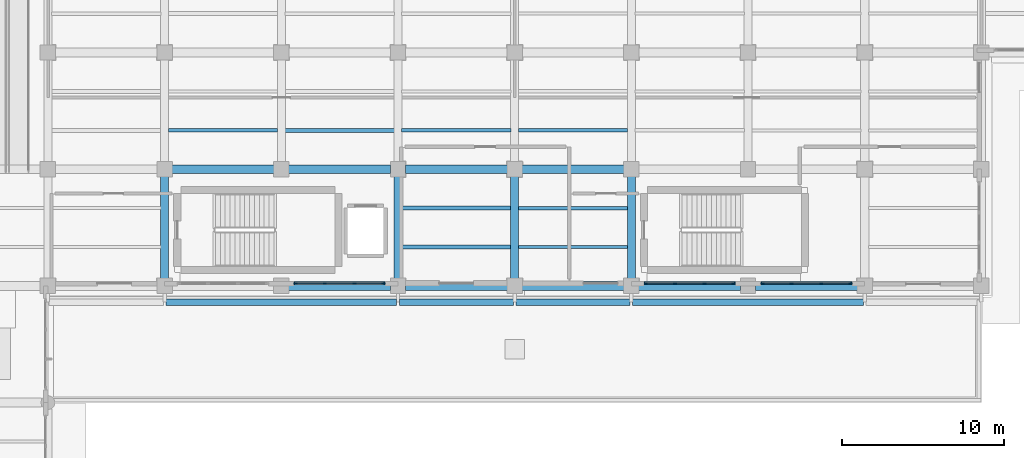
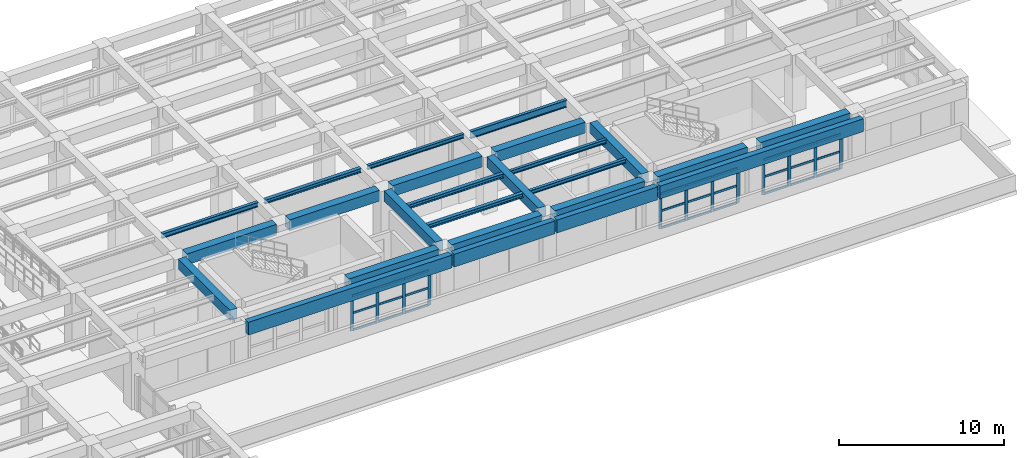
# One storey, part 12 of 64: 39 members, 25 beams, 3 elements without a shape of their own.
"""IFC4 building model written with IfcOpenShell, lengths in metres."""

from ifc_helpers import new_model, si_unit, direction, frame, origin, origin_2d, place, context, subcontext, project, spatial, rectangle, i_section, extrude, material, layer, layer_set, material_profile, profile_set, type_object, element, aggregate, save


model = new_model("IFC4")

# Units and contexts
model_context = context("Model", 3, precision=1e-05, world=origin(), true_north=direction((0.0, 1.0)))
body_context = subcontext(model_context, "Body", "Model", "MODEL_VIEW")
ifc_project = project(units=[si_unit("LENGTHUNIT", "METRE"), si_unit("AREAUNIT", "SQUARE_METRE"), si_unit("VOLUMEUNIT", "CUBIC_METRE"), si_unit("PLANEANGLEUNIT", "RADIAN"), si_unit("MASSUNIT", "GRAM", prefix="KILO")], contexts=[model_context])

# Site, building, storey
site_placement = place(None, origin())
site = spatial("IfcSite", under=ifc_project, at=site_placement, CompositionType="ELEMENT")
building_placement = place(site_placement, origin())
building = spatial("IfcBuilding", under=site, at=building_placement, Name="Solenvale Faculty of Natural Sciences", CompositionType="ELEMENT")
storey_placement = place(building_placement, origin())
storey = spatial("IfcBuildingStorey", under=building, at=storey_placement, Name="L00", CompositionType="ELEMENT", Elevation=0.0)

# Beams
ifc_material_1 = material(Name="Concrete 40 MPa", Category="concrete")
ifc_material_profile_1 = material_profile(ifc_material_1, rectangle(XDim=0.5, YDim=0.75, at=origin_2d()), Name="RC-BM-500x750")
ifc_profile_set_1 = profile_set([ifc_material_profile_1], Name="Concrete 40 MPa")
beam_type_1 = type_object("IfcBeamType", Name="BM-RC-500x750", PredefinedType="BEAM", material=ifc_profile_set_1)
for number, where, z_axis, x_axis, name in (
    (1, (64.800048828125, 22.054931640625, 3.844970703125), (0.0, 1.0, 0.0), (-1.0, 0.0, 0.0), "L00 Y-Girder X64.8 (21.6..28.8)"),
    (2, (79.199951171875, 22.054931640625, 3.844970703125), (0.0, 1.0, 0.0), (-1.0, 0.0, 0.0), "L00 Y-Girder X79.2 (21.6..28.8)"),
    (3, (86.39990234375, 22.054931640625, 3.844970703125), (0.0, 1.0, 0.0), (-1.0, 0.0, 0.0), "L00 Y-Girder X86.4 (21.6..28.8)"),
    (4, (93.60009765625, 22.054931640625, 3.844970703125), (0.0, 1.0, 0.0), (-1.0, 0.0, 0.0), "L00 Y-Girder X93.6 (21.6..28.8)"),
):
    element("IfcBeam", number, at=place(storey_placement, frame(where, z_axis=z_axis, x_axis=x_axis)), inside=storey, type_object=beam_type_1, Name=name, PredefinedType="BEAM", context=body_context, shape_type="SweptSolid", body=[
        extrude(rectangle(XDim=0.5, YDim=0.75, at=origin_2d()), origin(), (0.0, 0.0, 1.0), 6.2900390625),
    ])
ifc_material_profile_2 = material_profile(ifc_material_1, rectangle(XDim=0.550048828125, YDim=0.800048828125, at=origin_2d()), Name="RC-BM-550x800")
ifc_profile_set_2 = profile_set([ifc_material_profile_2], Name="Concrete 40 MPa")
beam_type_2 = type_object("IfcBeamType", Name="BM-RC-550x800", PredefinedType="BEAM", material=ifc_profile_set_2)
for number, where, z_axis, x_axis, name in (
    (5, (72.455078125, 21.60009765625, 3.820068359375), (1.0, 0.0, 0.0), (0.0, 1.0, 0.0), "L00 X-Girder Y21.6 (72.0..79.2)"),
    (6, (79.655029296875, 21.60009765625, 3.820068359375), (1.0, 0.0, 0.0), (0.0, 1.0, 0.0), "L00 X-Girder Y21.6 (79.2..86.4)"),
    (7, (86.85498046875, 21.60009765625, 3.820068359375), (1.0, 0.0, 0.0), (0.0, 1.0, 0.0), "L00 X-Girder Y21.6 (86.4..93.6)"),
    (8, (94.054931640625, 21.60009765625, 3.820068359375), (1.0, 0.0, 0.0), (0.0, 1.0, 0.0), "L00 X-Girder Y21.6 (93.6..100.8)"),
    (9, (101.2548828125, 21.60009765625, 3.820068359375), (1.0, 0.0, 0.0), (0.0, 1.0, 0.0), "L00 X-Girder Y21.6 (100.8..108.0)"),
    (10, (65.2548828125, 28.800048828125, 3.820068359375), (1.0, 0.0, 0.0), (0.0, 1.0, 0.0), "L00 X-Girder Y28.8 (64.8..72.0)"),
    (11, (72.455078125, 28.800048828125, 3.820068359375), (1.0, 0.0, 0.0), (0.0, 1.0, 0.0), "L00 X-Girder Y28.8 (72.0..79.2)"),
    (12, (79.655029296875, 28.800048828125, 3.820068359375), (1.0, 0.0, 0.0), (0.0, 1.0, 0.0), "L00 X-Girder Y28.8 (79.2..86.4)"),
    (13, (86.85498046875, 28.800048828125, 3.820068359375), (1.0, 0.0, 0.0), (0.0, 1.0, 0.0), "L00 X-Girder Y28.8 (86.4..93.6)"),
):
    element("IfcBeam", number, at=place(storey_placement, frame(where, z_axis=z_axis, x_axis=x_axis)), inside=storey, type_object=beam_type_2, Name=name, PredefinedType="BEAM", context=body_context, shape_type="SweptSolid", body=[
        extrude(rectangle(XDim=0.550048828125, YDim=0.800048828125, at=origin_2d()), origin(), (0.0, 0.0, 1.0), 6.2900390625),
    ])
ifc_material_2 = material(Name="Architectural bronze concrete 40 MPa", Category="concrete")
ifc_material_profile_3 = material_profile(ifc_material_2, rectangle(XDim=0.39990234375, YDim=0.949951171875, at=origin_2d()), Name="RC-SPN-400x950")
ifc_profile_set_3 = profile_set([ifc_material_profile_3], Name="Architectural bronze concrete 40 MPa")
beam_type_3 = type_object("IfcBeamType", Name="BM-SPN-BRZ-950", PredefinedType="SPANDREL", material=ifc_profile_set_3)
beam_1_placement = place(storey_placement, frame((64.8798828125, 20.60009765625, 3.7451171875), z_axis=(1.0, 0.0, 0.0), x_axis=(0.0, 1.0, 0.0)))
element("IfcBeam", 14, at=beam_1_placement, inside=storey, type_object=beam_type_3, Name="L01 Sliding-Tray South Bronze Fascia 2", PredefinedType="SPANDREL", context=body_context, shape_type="SweptSolid", body=[
    extrude(rectangle(XDim=0.39990234375, YDim=0.949951171875, at=origin_2d()), origin(), (0.0, 0.0, 1.0), 14.240234375),
])
for number, where, z_axis, x_axis, name in (
    (15, (79.280029296875, 20.60009765625, 3.7451171875), (1.0, 0.0, 0.0), (0.0, 1.0, 0.0), "L01 Sliding-Tray South Bronze Fascia 3"),
    (16, (86.47998046875, 20.60009765625, 3.7451171875), (1.0, 0.0, 0.0), (0.0, 1.0, 0.0), "L01 Sliding-Tray South Bronze Fascia 4"),
):
    element("IfcBeam", number, at=place(storey_placement, frame(where, z_axis=z_axis, x_axis=x_axis)), inside=storey, type_object=beam_type_3, Name=name, PredefinedType="SPANDREL", context=body_context, shape_type="SweptSolid", body=[
        extrude(rectangle(XDim=0.39990234375, YDim=0.949951171875, at=origin_2d()), origin(), (0.0, 0.0, 1.0), 7.0400390625),
    ])
beam_2_placement = place(storey_placement, frame((93.679931640625, 20.60009765625, 3.7451171875), z_axis=(1.0, 0.0, 0.0), x_axis=(0.0, 1.0, 0.0)))
element("IfcBeam", 17, at=beam_2_placement, inside=storey, type_object=beam_type_3, Name="L01 Sliding-Tray South Bronze Fascia 5", PredefinedType="SPANDREL", context=body_context, shape_type="SweptSolid", body=[
    extrude(rectangle(XDim=0.39990234375, YDim=0.949951171875, at=origin_2d()), origin(), (0.0, 0.0, 1.0), 14.239990234375),
])
ifc_material_3 = material(Name="Steel S355", Category="steel")
ifc_material_profile_4 = material_profile(ifc_material_3, i_section(OverallWidth=0.202880859375, OverallDepth=0.302978515625, WebThickness=0.007568359375, FlangeThickness=0.01318359375, FilletRadius=0.014892578125, at=origin_2d()), Name="W310x60")
ifc_profile_set_4 = profile_set([ifc_material_profile_4], Name="Steel S355")
beam_type_4 = type_object("IfcBeamType", Name="BM-STL-W310x60", PredefinedType="JOIST", material=ifc_profile_set_4)
beam_3_placement = place(storey_placement, frame((79.429931640625, 31.199951171875, 4.068603515625), z_axis=(1.0, 0.0, 0.0), x_axis=(0.0, 1.0, 0.0)))
element("IfcBeam", 18, at=beam_3_placement, inside=storey, type_object=beam_type_4, Name="L00 Composite Floor Joist (12,5).1", PredefinedType="JOIST", context=body_context, shape_type="SweptSolid", body=[
    extrude(i_section(OverallWidth=0.202880859375, OverallDepth=0.302978515625, WebThickness=0.007568359375, FlangeThickness=0.01318359375, FilletRadius=0.014892578125, at=origin_2d()), origin(), (0.0, 0.0, 1.0), 6.739990234375),
])
for number, where, z_axis, x_axis, name in (
    (19, (86.6298828125, 24.0, 4.068603515625), (1.0, 0.0, 0.0), (0.0, 1.0, 0.0), "L00 Composite Floor Joist (13,4).1"),
    (20, (86.6298828125, 26.39990234375, 4.068603515625), (1.0, 0.0, 0.0), (0.0, 1.0, 0.0), "L00 Composite Floor Joist (13,4).2"),
):
    element("IfcBeam", number, at=place(storey_placement, frame(where, z_axis=z_axis, x_axis=x_axis)), inside=storey, type_object=beam_type_4, Name=name, PredefinedType="JOIST", context=body_context, shape_type="SweptSolid", body=[
        extrude(i_section(OverallWidth=0.202880859375, OverallDepth=0.302978515625, WebThickness=0.007568359375, FlangeThickness=0.01318359375, FilletRadius=0.014892578125, at=origin_2d()), origin(), (0.0, 0.0, 1.0), 6.740234375),
    ])
ifc_material_profile_5 = material_profile(ifc_material_3, i_section(OverallWidth=0.25390625, OverallDepth=0.305908203125, WebThickness=0.0087890625, FlangeThickness=0.0146484375, FilletRadius=0.014892578125, at=origin_2d()), Name="W310x79")
ifc_profile_set_5 = profile_set([ifc_material_profile_5], Name="Steel S355")
beam_type_5 = type_object("IfcBeamType", Name="BM-STL-W310x79", PredefinedType="JOIST", material=ifc_profile_set_5)
for number, where, z_axis, x_axis, name in (
    (21, (72.22998046875, 31.199951171875, 4.06689453125), (1.0, 0.0, 0.0), (0.0, 1.0, 0.0), "L00 Composite Floor Joist (11,5).1"),
    (22, (79.429931640625, 24.0, 4.06689453125), (1.0, 0.0, 0.0), (0.0, 1.0, 0.0), "L00 Composite Floor Joist (12,4).1"),
    (23, (79.429931640625, 26.39990234375, 4.06689453125), (1.0, 0.0, 0.0), (0.0, 1.0, 0.0), "L00 Composite Floor Joist (12,4).2"),
):
    element("IfcBeam", number, at=place(storey_placement, frame(where, z_axis=z_axis, x_axis=x_axis)), inside=storey, type_object=beam_type_5, Name=name, PredefinedType="JOIST", context=body_context, shape_type="SweptSolid", body=[
        extrude(i_section(OverallWidth=0.25390625, OverallDepth=0.305908203125, WebThickness=0.0087890625, FlangeThickness=0.0146484375, FilletRadius=0.014892578125, at=origin_2d()), origin(), (0.0, 0.0, 1.0), 6.739990234375),
    ])
ifc_material_profile_6 = material_profile(ifc_material_3, i_section(OverallWidth=0.2041015625, OverallDepth=0.35009765625, WebThickness=0.008544921875, FlangeThickness=0.01513671875, FilletRadius=0.014892578125, at=origin_2d()), Name="W360x72")
ifc_profile_set_6 = profile_set([ifc_material_profile_6], Name="Steel S355")
beam_type_6 = type_object("IfcBeamType", Name="BM-STL-W360x72", PredefinedType="JOIST", material=ifc_profile_set_6)
beam_4_placement = place(storey_placement, frame((65.030029296875, 31.199951171875, 4.044921875), z_axis=(1.0, 0.0, 0.0), x_axis=(0.0, 1.0, 0.0)))
element("IfcBeam", 24, at=beam_4_placement, inside=storey, type_object=beam_type_6, Name="L00 Composite Floor Joist (10,5).1", PredefinedType="JOIST", context=body_context, shape_type="SweptSolid", body=[
    extrude(i_section(OverallWidth=0.2041015625, OverallDepth=0.35009765625, WebThickness=0.008544921875, FlangeThickness=0.01513671875, FilletRadius=0.014892578125, at=origin_2d()), origin(), (0.0, 0.0, 1.0), 6.739990234375),
])
ifc_material_profile_7 = material_profile(ifc_material_3, i_section(OverallWidth=0.208984375, OverallDepth=0.532958984375, WebThickness=0.01025390625, FlangeThickness=0.015625, FilletRadius=0.01904296875, at=origin_2d()), Name="W530x92")
ifc_profile_set_7 = profile_set([ifc_material_profile_7], Name="Steel S355")
beam_type_7 = type_object("IfcBeamType", Name="BM-STL-W530x92", PredefinedType="JOIST", material=ifc_profile_set_7)
beam_5_placement = place(storey_placement, frame((86.6298828125, 31.199951171875, 3.95361328125), z_axis=(1.0, 0.0, 0.0), x_axis=(0.0, 1.0, 0.0)))
element("IfcBeam", 25, at=beam_5_placement, inside=storey, type_object=beam_type_7, Name="L00 Composite Floor Joist (13,5).1", PredefinedType="JOIST", context=body_context, shape_type="SweptSolid", body=[
    extrude(i_section(OverallWidth=0.208984375, OverallDepth=0.532958984375, WebThickness=0.01025390625, FlangeThickness=0.015625, FilletRadius=0.01904296875, at=origin_2d()), origin(), (0.0, 0.0, 1.0), 6.740234375),
])

# Curtain wall, members
ifc_material_4 = material(Name="Anodised bronze aluminium", Category="aluminium")
ifc_layer = layer(ifc_material_4, 0.179931640625)
ifc_layer_set = layer_set([ifc_layer], Name="Anodised bronze aluminium")
curtain_wall_type = type_object("IfcCurtainWallType", Name="CW-TWR-MOD", PredefinedType="USERDEFINED", material=ifc_layer_set)
curtain_wall_1_placement = place(storey_placement, origin())
curtain_wall_1 = element("IfcCurtainWall", 26, at=curtain_wall_1_placement, inside=storey, type_object=curtain_wall_type, Name="L00 Curtain Wall CW-L00-P1-E3-B3", ObjectType="UNITISED CURTAIN WALL", PredefinedType="USERDEFINED")
ifc_material_profile_8 = material_profile(ifc_material_4, rectangle(XDim=0.074951171875, YDim=0.2099609375, at=origin_2d()), Name="ALU-MUL-75x210")
ifc_profile_set_8 = profile_set([ifc_material_profile_8], Name="Anodised bronze aluminium")
member_type_1 = type_object("IfcMemberType", Name="CWM-ALU-75x210", PredefinedType="MULLION", material=ifc_profile_set_8)
member_1_placement = place(storey_placement, frame((72.887451171875, 21.742431640625, 0.0), z_axis=(0.0, 0.0, 1.0), x_axis=(0.0, 1.0, 0.0)))
member_1 = element("IfcMember", 27, at=member_1_placement, type_object=member_type_1, Name="CW-04 mullion 1", PredefinedType="MULLION", context=body_context, shape_type="SweptSolid", body=[
    extrude(rectangle(XDim=0.074951171875, YDim=0.2099609375, at=origin_2d()), origin(), (0.0, 0.0, 1.0), 2.60009765625),
])
member_2_placement = place(storey_placement, frame((74.683349609375, 21.742431640625, 0.0), z_axis=(0.0, 0.0, 1.0), x_axis=(0.0, 1.0, 0.0)))
member_2 = element("IfcMember", 28, at=member_2_placement, type_object=member_type_1, Name="CW-04 mullion 2", PredefinedType="MULLION", context=body_context, shape_type="SweptSolid", body=[
    extrude(rectangle(XDim=0.074951171875, YDim=0.2099609375, at=origin_2d()), origin(), (0.0, 0.0, 1.0), 2.60009765625),
])
member_3_placement = place(storey_placement, frame((76.5166015625, 21.742431640625, 0.0), z_axis=(0.0, 0.0, 1.0), x_axis=(0.0, 1.0, 0.0)))
member_3 = element("IfcMember", 29, at=member_3_placement, type_object=member_type_1, Name="CW-04 mullion 3", PredefinedType="MULLION", context=body_context, shape_type="SweptSolid", body=[
    extrude(rectangle(XDim=0.074951171875, YDim=0.2099609375, at=origin_2d()), origin(), (0.0, 0.0, 1.0), 2.60009765625),
])
member_4_placement = place(storey_placement, frame((78.3125, 21.742431640625, 0.0), z_axis=(0.0, 0.0, 1.0), x_axis=(0.0, 1.0, 0.0)))
member_4 = element("IfcMember", 30, at=member_4_placement, type_object=member_type_1, Name="CW-04 mullion 4", PredefinedType="MULLION", context=body_context, shape_type="SweptSolid", body=[
    extrude(rectangle(XDim=0.074951171875, YDim=0.2099609375, at=origin_2d()), origin(), (0.0, 0.0, 1.0), 2.60009765625),
])

curtain_wall_2_placement = place(storey_placement, origin())
curtain_wall_2 = element("IfcCurtainWall", 31, at=curtain_wall_2_placement, inside=storey, type_object=curtain_wall_type, Name="L00 Curtain Wall CW-L00-P1-E3-B6", ObjectType="UNITISED CURTAIN WALL", PredefinedType="USERDEFINED")
member_5_placement = place(storey_placement, frame((94.487548828125, 21.742431640625, 0.0), z_axis=(0.0, 0.0, 1.0), x_axis=(0.0, 1.0, 0.0)))
member_5 = element("IfcMember", 32, at=member_5_placement, type_object=member_type_1, Name="CW-04 mullion 1", PredefinedType="MULLION", context=body_context, shape_type="SweptSolid", body=[
    extrude(rectangle(XDim=0.074951171875, YDim=0.2099609375, at=origin_2d()), origin(), (0.0, 0.0, 1.0), 2.60009765625),
])
member_6_placement = place(storey_placement, frame((96.283447265625, 21.742431640625, 0.0), z_axis=(0.0, 0.0, 1.0), x_axis=(0.0, 1.0, 0.0)))
member_6 = element("IfcMember", 33, at=member_6_placement, type_object=member_type_1, Name="CW-04 mullion 2", PredefinedType="MULLION", context=body_context, shape_type="SweptSolid", body=[
    extrude(rectangle(XDim=0.074951171875, YDim=0.2099609375, at=origin_2d()), origin(), (0.0, 0.0, 1.0), 2.60009765625),
])
member_7_placement = place(storey_placement, frame((98.11669921875, 21.742431640625, 0.0), z_axis=(0.0, 0.0, 1.0), x_axis=(0.0, 1.0, 0.0)))
member_7 = element("IfcMember", 34, at=member_7_placement, type_object=member_type_1, Name="CW-04 mullion 3", PredefinedType="MULLION", context=body_context, shape_type="SweptSolid", body=[
    extrude(rectangle(XDim=0.074951171875, YDim=0.2099609375, at=origin_2d()), origin(), (0.0, 0.0, 1.0), 2.60009765625),
])
member_8_placement = place(storey_placement, frame((99.91259765625, 21.742431640625, 0.0), z_axis=(0.0, 0.0, 1.0), x_axis=(0.0, 1.0, 0.0)))
member_8 = element("IfcMember", 35, at=member_8_placement, type_object=member_type_1, Name="CW-04 mullion 4", PredefinedType="MULLION", context=body_context, shape_type="SweptSolid", body=[
    extrude(rectangle(XDim=0.074951171875, YDim=0.2099609375, at=origin_2d()), origin(), (0.0, 0.0, 1.0), 2.60009765625),
])

curtain_wall_3_placement = place(storey_placement, origin())
curtain_wall_3 = element("IfcCurtainWall", 36, at=curtain_wall_3_placement, inside=storey, type_object=curtain_wall_type, Name="L00 Curtain Wall CW-L00-P1-E3-B7", ObjectType="UNITISED CURTAIN WALL", PredefinedType="USERDEFINED")
member_9_placement = place(storey_placement, frame((101.6875, 21.742431640625, 0.0), z_axis=(0.0, 0.0, 1.0), x_axis=(0.0, 1.0, 0.0)))
member_9 = element("IfcMember", 37, at=member_9_placement, type_object=member_type_1, Name="CW-04 mullion 1", PredefinedType="MULLION", context=body_context, shape_type="SweptSolid", body=[
    extrude(rectangle(XDim=0.074951171875, YDim=0.2099609375, at=origin_2d()), origin(), (0.0, 0.0, 1.0), 2.60009765625),
])
member_10_placement = place(storey_placement, frame((103.4833984375, 21.742431640625, 0.0), z_axis=(0.0, 0.0, 1.0), x_axis=(0.0, 1.0, 0.0)))
member_10 = element("IfcMember", 38, at=member_10_placement, type_object=member_type_1, Name="CW-04 mullion 2", PredefinedType="MULLION", context=body_context, shape_type="SweptSolid", body=[
    extrude(rectangle(XDim=0.074951171875, YDim=0.2099609375, at=origin_2d()), origin(), (0.0, 0.0, 1.0), 2.60009765625),
])
member_11_placement = place(storey_placement, frame((105.316650390625, 21.742431640625, 0.0), z_axis=(0.0, 0.0, 1.0), x_axis=(0.0, 1.0, 0.0)))
member_11 = element("IfcMember", 39, at=member_11_placement, type_object=member_type_1, Name="CW-04 mullion 3", PredefinedType="MULLION", context=body_context, shape_type="SweptSolid", body=[
    extrude(rectangle(XDim=0.074951171875, YDim=0.2099609375, at=origin_2d()), origin(), (0.0, 0.0, 1.0), 2.60009765625),
])
member_12_placement = place(storey_placement, frame((107.112548828125, 21.742431640625, 0.0), z_axis=(0.0, 0.0, 1.0), x_axis=(0.0, 1.0, 0.0)))
member_12 = element("IfcMember", 40, at=member_12_placement, type_object=member_type_1, Name="CW-04 mullion 4", PredefinedType="MULLION", context=body_context, shape_type="SweptSolid", body=[
    extrude(rectangle(XDim=0.074951171875, YDim=0.2099609375, at=origin_2d()), origin(), (0.0, 0.0, 1.0), 2.60009765625),
])

# Member
ifc_material_profile_9 = material_profile(ifc_material_4, rectangle(XDim=0.074951171875, YDim=0.155029296875, at=origin_2d()), Name="ALU-TRN-75x155")
ifc_profile_set_9 = profile_set([ifc_material_profile_9], Name="Anodised bronze aluminium")
member_type_2 = type_object("IfcMemberType", Name="CWT-ALU-75x155", PredefinedType="USERDEFINED", material=ifc_profile_set_9)
member_13_placement = place(storey_placement, frame((72.925048828125, 21.742431640625, 0.03759765625), z_axis=(1.0, 0.0, 0.0), x_axis=(0.0, 1.0, 0.0)))
member_13 = element("IfcMember", 41, at=member_13_placement, type_object=member_type_2, Name="CW-04 transom 1.1", ObjectType="TRANSOM", PredefinedType="USERDEFINED", context=body_context, shape_type="SweptSolid", body=[
    extrude(rectangle(XDim=0.074951171875, YDim=0.155029296875, at=origin_2d()), origin(), (0.0, 0.0, 1.0), 1.720703125),
])

member_14_placement = place(storey_placement, frame((72.925048828125, 21.742431640625, 1.300048828125), z_axis=(1.0, 0.0, 0.0), x_axis=(0.0, 1.0, 0.0)))
member_14 = element("IfcMember", 42, at=member_14_placement, type_object=member_type_2, Name="CW-04 transom 1.2", ObjectType="TRANSOM", PredefinedType="USERDEFINED", context=body_context, shape_type="SweptSolid", body=[
    extrude(rectangle(XDim=0.074951171875, YDim=0.155029296875, at=origin_2d()), origin(), (0.0, 0.0, 1.0), 1.720703125),
])

member_15_placement = place(storey_placement, frame((72.925048828125, 21.742431640625, 2.5625), z_axis=(1.0, 0.0, 0.0), x_axis=(0.0, 1.0, 0.0)))
member_15 = element("IfcMember", 43, at=member_15_placement, type_object=member_type_2, Name="CW-04 transom 1.3", ObjectType="TRANSOM", PredefinedType="USERDEFINED", context=body_context, shape_type="SweptSolid", body=[
    extrude(rectangle(XDim=0.074951171875, YDim=0.155029296875, at=origin_2d()), origin(), (0.0, 0.0, 1.0), 1.720703125),
])

member_16_placement = place(storey_placement, frame((74.720947265625, 21.742431640625, 0.03759765625), z_axis=(1.0, 0.0, 0.0), x_axis=(0.0, 1.0, 0.0)))
member_16 = element("IfcMember", 44, at=member_16_placement, type_object=member_type_2, Name="CW-04 transom 2.1", ObjectType="TRANSOM", PredefinedType="USERDEFINED", context=body_context, shape_type="SweptSolid", body=[
    extrude(rectangle(XDim=0.074951171875, YDim=0.155029296875, at=origin_2d()), origin(), (0.0, 0.0, 1.0), 1.75830078125),
])

member_17_placement = place(storey_placement, frame((74.720947265625, 21.742431640625, 1.300048828125), z_axis=(1.0, 0.0, 0.0), x_axis=(0.0, 1.0, 0.0)))
member_17 = element("IfcMember", 45, at=member_17_placement, type_object=member_type_2, Name="CW-04 transom 2.2", ObjectType="TRANSOM", PredefinedType="USERDEFINED", context=body_context, shape_type="SweptSolid", body=[
    extrude(rectangle(XDim=0.074951171875, YDim=0.155029296875, at=origin_2d()), origin(), (0.0, 0.0, 1.0), 1.75830078125),
])

member_18_placement = place(storey_placement, frame((74.720947265625, 21.742431640625, 2.5625), z_axis=(1.0, 0.0, 0.0), x_axis=(0.0, 1.0, 0.0)))
member_18 = element("IfcMember", 46, at=member_18_placement, type_object=member_type_2, Name="CW-04 transom 2.3", ObjectType="TRANSOM", PredefinedType="USERDEFINED", context=body_context, shape_type="SweptSolid", body=[
    extrude(rectangle(XDim=0.074951171875, YDim=0.155029296875, at=origin_2d()), origin(), (0.0, 0.0, 1.0), 1.75830078125),
])

member_19_placement = place(storey_placement, frame((76.55419921875, 21.742431640625, 0.03759765625), z_axis=(1.0, 0.0, 0.0), x_axis=(0.0, 1.0, 0.0)))
member_19 = element("IfcMember", 47, at=member_19_placement, type_object=member_type_2, Name="CW-04 transom 3.1", ObjectType="TRANSOM", PredefinedType="USERDEFINED", context=body_context, shape_type="SweptSolid", body=[
    extrude(rectangle(XDim=0.074951171875, YDim=0.155029296875, at=origin_2d()), origin(), (0.0, 0.0, 1.0), 1.720703125),
])

member_20_placement = place(storey_placement, frame((76.55419921875, 21.742431640625, 1.300048828125), z_axis=(1.0, 0.0, 0.0), x_axis=(0.0, 1.0, 0.0)))
member_20 = element("IfcMember", 48, at=member_20_placement, type_object=member_type_2, Name="CW-04 transom 3.2", ObjectType="TRANSOM", PredefinedType="USERDEFINED", context=body_context, shape_type="SweptSolid", body=[
    extrude(rectangle(XDim=0.074951171875, YDim=0.155029296875, at=origin_2d()), origin(), (0.0, 0.0, 1.0), 1.720703125),
])

member_21_placement = place(storey_placement, frame((76.55419921875, 21.742431640625, 2.5625), z_axis=(1.0, 0.0, 0.0), x_axis=(0.0, 1.0, 0.0)))
member_21 = element("IfcMember", 49, at=member_21_placement, type_object=member_type_2, Name="CW-04 transom 3.3", ObjectType="TRANSOM", PredefinedType="USERDEFINED", context=body_context, shape_type="SweptSolid", body=[
    extrude(rectangle(XDim=0.074951171875, YDim=0.155029296875, at=origin_2d()), origin(), (0.0, 0.0, 1.0), 1.720703125),
])

aggregate(curtain_wall_1, [member_1, member_2, member_3, member_4, member_13, member_14, member_15, member_16, member_17, member_18, member_19, member_20, member_21])

member_22_placement = place(storey_placement, frame((94.52490234375, 21.742431640625, 0.03759765625), z_axis=(1.0, 0.0, 0.0), x_axis=(0.0, 1.0, 0.0)))
member_22 = element("IfcMember", 50, at=member_22_placement, type_object=member_type_2, Name="CW-04 transom 1.1", ObjectType="TRANSOM", PredefinedType="USERDEFINED", context=body_context, shape_type="SweptSolid", body=[
    extrude(rectangle(XDim=0.074951171875, YDim=0.155029296875, at=origin_2d()), origin(), (0.0, 0.0, 1.0), 1.720947265625),
])

member_23_placement = place(storey_placement, frame((94.52490234375, 21.742431640625, 1.300048828125), z_axis=(1.0, 0.0, 0.0), x_axis=(0.0, 1.0, 0.0)))
member_23 = element("IfcMember", 51, at=member_23_placement, type_object=member_type_2, Name="CW-04 transom 1.2", ObjectType="TRANSOM", PredefinedType="USERDEFINED", context=body_context, shape_type="SweptSolid", body=[
    extrude(rectangle(XDim=0.074951171875, YDim=0.155029296875, at=origin_2d()), origin(), (0.0, 0.0, 1.0), 1.720947265625),
])

member_24_placement = place(storey_placement, frame((94.52490234375, 21.742431640625, 2.5625), z_axis=(1.0, 0.0, 0.0), x_axis=(0.0, 1.0, 0.0)))
member_24 = element("IfcMember", 52, at=member_24_placement, type_object=member_type_2, Name="CW-04 transom 1.3", ObjectType="TRANSOM", PredefinedType="USERDEFINED", context=body_context, shape_type="SweptSolid", body=[
    extrude(rectangle(XDim=0.074951171875, YDim=0.155029296875, at=origin_2d()), origin(), (0.0, 0.0, 1.0), 1.720947265625),
])

member_25_placement = place(storey_placement, frame((96.32080078125, 21.742431640625, 0.03759765625), z_axis=(1.0, 0.0, 0.0), x_axis=(0.0, 1.0, 0.0)))
member_25 = element("IfcMember", 53, at=member_25_placement, type_object=member_type_2, Name="CW-04 transom 2.1", ObjectType="TRANSOM", PredefinedType="USERDEFINED", context=body_context, shape_type="SweptSolid", body=[
    extrude(rectangle(XDim=0.074951171875, YDim=0.155029296875, at=origin_2d()), origin(), (0.0, 0.0, 1.0), 1.75830078125),
])

member_26_placement = place(storey_placement, frame((96.32080078125, 21.742431640625, 1.300048828125), z_axis=(1.0, 0.0, 0.0), x_axis=(0.0, 1.0, 0.0)))
member_26 = element("IfcMember", 54, at=member_26_placement, type_object=member_type_2, Name="CW-04 transom 2.2", ObjectType="TRANSOM", PredefinedType="USERDEFINED", context=body_context, shape_type="SweptSolid", body=[
    extrude(rectangle(XDim=0.074951171875, YDim=0.155029296875, at=origin_2d()), origin(), (0.0, 0.0, 1.0), 1.75830078125),
])

member_27_placement = place(storey_placement, frame((96.32080078125, 21.742431640625, 2.5625), z_axis=(1.0, 0.0, 0.0), x_axis=(0.0, 1.0, 0.0)))
member_27 = element("IfcMember", 55, at=member_27_placement, type_object=member_type_2, Name="CW-04 transom 2.3", ObjectType="TRANSOM", PredefinedType="USERDEFINED", context=body_context, shape_type="SweptSolid", body=[
    extrude(rectangle(XDim=0.074951171875, YDim=0.155029296875, at=origin_2d()), origin(), (0.0, 0.0, 1.0), 1.75830078125),
])

member_28_placement = place(storey_placement, frame((98.154052734375, 21.742431640625, 0.03759765625), z_axis=(1.0, 0.0, 0.0), x_axis=(0.0, 1.0, 0.0)))
member_28 = element("IfcMember", 56, at=member_28_placement, type_object=member_type_2, Name="CW-04 transom 3.1", ObjectType="TRANSOM", PredefinedType="USERDEFINED", context=body_context, shape_type="SweptSolid", body=[
    extrude(rectangle(XDim=0.074951171875, YDim=0.155029296875, at=origin_2d()), origin(), (0.0, 0.0, 1.0), 1.720947265625),
])

member_29_placement = place(storey_placement, frame((98.154052734375, 21.742431640625, 1.300048828125), z_axis=(1.0, 0.0, 0.0), x_axis=(0.0, 1.0, 0.0)))
member_29 = element("IfcMember", 57, at=member_29_placement, type_object=member_type_2, Name="CW-04 transom 3.2", ObjectType="TRANSOM", PredefinedType="USERDEFINED", context=body_context, shape_type="SweptSolid", body=[
    extrude(rectangle(XDim=0.074951171875, YDim=0.155029296875, at=origin_2d()), origin(), (0.0, 0.0, 1.0), 1.720947265625),
])

member_30_placement = place(storey_placement, frame((98.154052734375, 21.742431640625, 2.5625), z_axis=(1.0, 0.0, 0.0), x_axis=(0.0, 1.0, 0.0)))
member_30 = element("IfcMember", 58, at=member_30_placement, type_object=member_type_2, Name="CW-04 transom 3.3", ObjectType="TRANSOM", PredefinedType="USERDEFINED", context=body_context, shape_type="SweptSolid", body=[
    extrude(rectangle(XDim=0.074951171875, YDim=0.155029296875, at=origin_2d()), origin(), (0.0, 0.0, 1.0), 1.720947265625),
])

aggregate(curtain_wall_2, [member_5, member_6, member_7, member_8, member_22, member_23, member_24, member_25, member_26, member_27, member_28, member_29, member_30])

member_31_placement = place(storey_placement, frame((101.72509765625, 21.742431640625, 0.03759765625), z_axis=(1.0, 0.0, 0.0), x_axis=(0.0, 1.0, 0.0)))
member_31 = element("IfcMember", 59, at=member_31_placement, type_object=member_type_2, Name="CW-04 transom 1.1", ObjectType="TRANSOM", PredefinedType="USERDEFINED", context=body_context, shape_type="SweptSolid", body=[
    extrude(rectangle(XDim=0.074951171875, YDim=0.155029296875, at=origin_2d()), origin(), (0.0, 0.0, 1.0), 1.720703125),
])

member_32_placement = place(storey_placement, frame((101.72509765625, 21.742431640625, 1.300048828125), z_axis=(1.0, 0.0, 0.0), x_axis=(0.0, 1.0, 0.0)))
member_32 = element("IfcMember", 60, at=member_32_placement, type_object=member_type_2, Name="CW-04 transom 1.2", ObjectType="TRANSOM", PredefinedType="USERDEFINED", context=body_context, shape_type="SweptSolid", body=[
    extrude(rectangle(XDim=0.074951171875, YDim=0.155029296875, at=origin_2d()), origin(), (0.0, 0.0, 1.0), 1.720703125),
])

member_33_placement = place(storey_placement, frame((101.72509765625, 21.742431640625, 2.5625), z_axis=(1.0, 0.0, 0.0), x_axis=(0.0, 1.0, 0.0)))
member_33 = element("IfcMember", 61, at=member_33_placement, type_object=member_type_2, Name="CW-04 transom 1.3", ObjectType="TRANSOM", PredefinedType="USERDEFINED", context=body_context, shape_type="SweptSolid", body=[
    extrude(rectangle(XDim=0.074951171875, YDim=0.155029296875, at=origin_2d()), origin(), (0.0, 0.0, 1.0), 1.720703125),
])

member_34_placement = place(storey_placement, frame((103.520751953125, 21.742431640625, 0.03759765625), z_axis=(1.0, 0.0, 0.0), x_axis=(0.0, 1.0, 0.0)))
member_34 = element("IfcMember", 62, at=member_34_placement, type_object=member_type_2, Name="CW-04 transom 2.1", ObjectType="TRANSOM", PredefinedType="USERDEFINED", context=body_context, shape_type="SweptSolid", body=[
    extrude(rectangle(XDim=0.074951171875, YDim=0.155029296875, at=origin_2d()), origin(), (0.0, 0.0, 1.0), 1.75830078125),
])

member_35_placement = place(storey_placement, frame((103.520751953125, 21.742431640625, 1.300048828125), z_axis=(1.0, 0.0, 0.0), x_axis=(0.0, 1.0, 0.0)))
member_35 = element("IfcMember", 63, at=member_35_placement, type_object=member_type_2, Name="CW-04 transom 2.2", ObjectType="TRANSOM", PredefinedType="USERDEFINED", context=body_context, shape_type="SweptSolid", body=[
    extrude(rectangle(XDim=0.074951171875, YDim=0.155029296875, at=origin_2d()), origin(), (0.0, 0.0, 1.0), 1.75830078125),
])

member_36_placement = place(storey_placement, frame((103.520751953125, 21.742431640625, 2.5625), z_axis=(1.0, 0.0, 0.0), x_axis=(0.0, 1.0, 0.0)))
member_36 = element("IfcMember", 64, at=member_36_placement, type_object=member_type_2, Name="CW-04 transom 2.3", ObjectType="TRANSOM", PredefinedType="USERDEFINED", context=body_context, shape_type="SweptSolid", body=[
    extrude(rectangle(XDim=0.074951171875, YDim=0.155029296875, at=origin_2d()), origin(), (0.0, 0.0, 1.0), 1.75830078125),
])

member_37_placement = place(storey_placement, frame((105.354248046875, 21.742431640625, 0.03759765625), z_axis=(1.0, 0.0, 0.0), x_axis=(0.0, 1.0, 0.0)))
member_37 = element("IfcMember", 65, at=member_37_placement, type_object=member_type_2, Name="CW-04 transom 3.1", ObjectType="TRANSOM", PredefinedType="USERDEFINED", context=body_context, shape_type="SweptSolid", body=[
    extrude(rectangle(XDim=0.074951171875, YDim=0.155029296875, at=origin_2d()), origin(), (0.0, 0.0, 1.0), 1.720703125),
])

member_38_placement = place(storey_placement, frame((105.354248046875, 21.742431640625, 1.300048828125), z_axis=(1.0, 0.0, 0.0), x_axis=(0.0, 1.0, 0.0)))
member_38 = element("IfcMember", 66, at=member_38_placement, type_object=member_type_2, Name="CW-04 transom 3.2", ObjectType="TRANSOM", PredefinedType="USERDEFINED", context=body_context, shape_type="SweptSolid", body=[
    extrude(rectangle(XDim=0.074951171875, YDim=0.155029296875, at=origin_2d()), origin(), (0.0, 0.0, 1.0), 1.720703125),
])

member_39_placement = place(storey_placement, frame((105.354248046875, 21.742431640625, 2.5625), z_axis=(1.0, 0.0, 0.0), x_axis=(0.0, 1.0, 0.0)))
member_39 = element("IfcMember", 67, at=member_39_placement, type_object=member_type_2, Name="CW-04 transom 3.3", ObjectType="TRANSOM", PredefinedType="USERDEFINED", context=body_context, shape_type="SweptSolid", body=[
    extrude(rectangle(XDim=0.074951171875, YDim=0.155029296875, at=origin_2d()), origin(), (0.0, 0.0, 1.0), 1.720703125),
])

aggregate(curtain_wall_3, [member_9, member_10, member_11, member_12, member_31, member_32, member_33, member_34, member_35, member_36, member_37, member_38, member_39])

save(model, "model.ifc")
